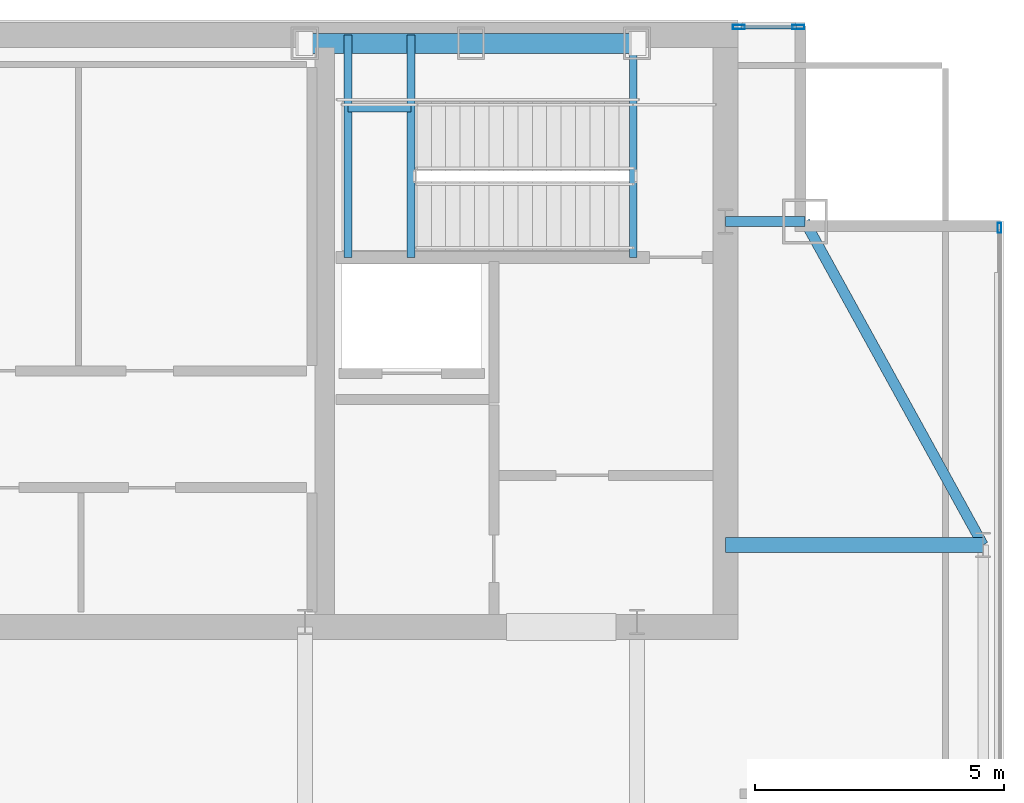
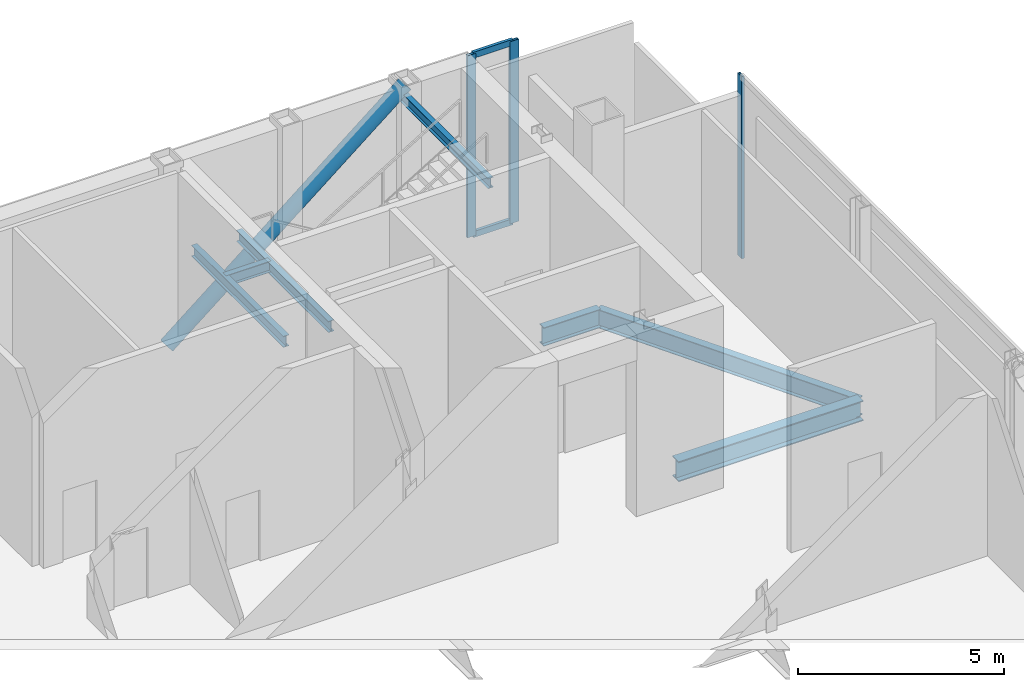
# One storey, part 17 of 22: 7 beams, 6 members, 2 elements without a shape of their own.
"""IFC4 building model written with IfcOpenShell, lengths in metres."""

from ifc_helpers import new_model, si_unit, direction, frame, origin, origin_2d, place, context, subcontext, project, spatial, hollow_rectangle, hollow_circle, i_section, extrude, material, material_profile, profile_set, type_object, element, aggregate, save


model = new_model("IFC4")

# Units and contexts
model_context = context("Model", 3, precision=1e-05, world=origin(), true_north=direction((0.0, 1.0)))
body_context = subcontext(model_context, "Body", "Model", "MODEL_VIEW")
ifc_project = project(units=[si_unit("LENGTHUNIT", "METRE"), si_unit("AREAUNIT", "SQUARE_METRE"), si_unit("VOLUMEUNIT", "CUBIC_METRE"), si_unit("PLANEANGLEUNIT", "RADIAN"), si_unit("MASSUNIT", "GRAM", prefix="KILO")], contexts=[model_context])

# Site, building, storey
site_placement = place(None, origin())
site = spatial("IfcSite", under=ifc_project, at=site_placement, CompositionType="ELEMENT")
building_placement = place(site_placement, origin())
building = spatial("IfcBuilding", under=site, at=building_placement, Name="Khoronbel Lancet Exchange", CompositionType="ELEMENT")
storey_placement = place(building_placement, frame((0.0, 0.0, 361.800048828125)))
storey = spatial("IfcBuildingStorey", under=building, at=storey_placement, Name="L93", CompositionType="ELEMENT", Elevation=361.800048828125)

# Beams
ifc_material_1 = material(Name="Steel S355", Category="steel")
ifc_material_profile_1 = material_profile(ifc_material_1, i_section(OverallWidth=0.300048828125, OverallDepth=0.60009765625, WebThickness=0.015380859375, FlangeThickness=0.030029296875, at=origin_2d()), Name="HEB 600")
ifc_profile_set_1 = profile_set([ifc_material_profile_1], Name="Steel S355")
beam_type_1 = type_object("IfcBeamType", Name="BM-BG5", PredefinedType="BEAM", material=ifc_profile_set_1)
beam_1_placement = place(storey_placement, frame((56.449951171875, 43.199951171875, -0.5), z_axis=(1.0, 0.0, 0.0), x_axis=(0.0, 1.0, 0.0)))
element("IfcBeam", 1, at=beam_1_placement, inside=storey, type_object=beam_type_1, Name="Level L93 east lens tie girder LG3E", PredefinedType="BEAM", context=body_context, shape_type="SweptSolid", body=[
    extrude(i_section(OverallWidth=0.300048828125, OverallDepth=0.60009765625, WebThickness=0.015380859375, FlangeThickness=0.030029296875, at=origin_2d()), origin(), (0.0, 0.0, 1.0), 5.179931640625),
])
ifc_material_profile_2 = material_profile(ifc_material_1, i_section(OverallWidth=0.159912109375, OverallDepth=0.330078125, WebThickness=0.007568359375, FlangeThickness=0.011474609375, at=origin_2d()), Name="IPE 330")
ifc_profile_set_2 = profile_set([ifc_material_profile_2], Name="Steel S355")
beam_type_2 = type_object("IfcBeamType", Name="BM-BJ7", PredefinedType="JOIST", material=ifc_profile_set_2)
for number, where, z_axis, x_axis, name in (
    (2, (50.1298828125, 48.97998046875, 2.43505859375), (0.0, 1.0, 0.0), (-1.0, 0.0, 0.0), "Level L93 stair ST2 landing bearer beam 1"),
    (3, (48.8701171875, 48.97998046875, 2.43505859375), (0.0, 1.0, 0.0), (-1.0, 0.0, 0.0), "Level L93 stair ST2 rear landing bearer beam 1"),
):
    element("IfcBeam", number, at=place(storey_placement, frame(where, z_axis=z_axis, x_axis=x_axis)), inside=storey, type_object=beam_type_2, Name=name, PredefinedType="JOIST", context=body_context, shape_type="SweptSolid", body=[
        extrude(i_section(OverallWidth=0.159912109375, OverallDepth=0.330078125, WebThickness=0.007568359375, FlangeThickness=0.011474609375, at=origin_2d()), origin(), (0.0, 0.0, 1.0), 4.469970703125),
    ])
beam_2_placement = place(storey_placement, frame((48.8701171875, 51.97998046875, 2.43505859375), z_axis=(1.0, 0.0, 0.0), x_axis=(0.0, 1.0, 0.0)))
element("IfcBeam", 4, at=beam_2_placement, inside=storey, type_object=beam_type_2, Name="Level L93 stair ST2 landing cross trimmer beam 1", PredefinedType="JOIST", context=body_context, shape_type="SweptSolid", body=[
    extrude(i_section(OverallWidth=0.159912109375, OverallDepth=0.330078125, WebThickness=0.007568359375, FlangeThickness=0.011474609375, at=origin_2d()), origin(), (0.0, 0.0, 1.0), 1.259765625),
])
ifc_material_profile_3 = material_profile(ifc_material_1, i_section(OverallWidth=0.14990234375, OverallDepth=0.300048828125, WebThickness=0.007080078125, FlangeThickness=0.0107421875, at=origin_2d()), Name="IPE 300")
ifc_profile_set_3 = profile_set([ifc_material_profile_3], Name="Steel S355")
beam_type_3 = type_object("IfcBeamType", Name="BM-BJ8", PredefinedType="JOIST", material=ifc_profile_set_3)
beam_3_placement = place(storey_placement, frame((54.60009765625, 48.97998046875, 5.119873046875), z_axis=(0.0, 1.0, 0.0), x_axis=(-1.0, 0.0, 0.0)))
element("IfcBeam", 5, at=beam_3_placement, inside=storey, type_object=beam_type_3, Name="Level L93 stair ST2 upper-flight arrival trimmer beam", PredefinedType="JOIST", context=body_context, shape_type="SweptSolid", body=[
    extrude(i_section(OverallWidth=0.14990234375, OverallDepth=0.300048828125, WebThickness=0.007080078125, FlangeThickness=0.0107421875, at=origin_2d()), origin(), (0.0, 0.0, 1.0), 4.469970703125),
])
ifc_material_profile_4 = material_profile(ifc_material_1, i_section(OverallWidth=0.2099609375, OverallDepth=0.550048828125, WebThickness=0.010986328125, FlangeThickness=0.01708984375, at=origin_2d()), Name="IPE 550")
ifc_profile_set_4 = profile_set([ifc_material_profile_4], Name="Steel S355")
beam_type_4 = type_object("IfcBeamType", Name="BM-BSP3", PredefinedType="SPANDREL", material=ifc_profile_set_4)
beam_4_placement = place(storey_placement, frame((61.6298828125, 43.199951171875, -0.47509765625), z_axis=(-0.482418808117, 0.875940690672, 0.0), x_axis=(-0.875940690672, -0.482418808117, 0.0)))
element("IfcBeam", 6, at=beam_4_placement, inside=storey, type_object=beam_type_4, Name="Level L93 perimeter spandrel beam SP13", PredefinedType="SPANDREL", context=body_context, shape_type="SweptSolid", body=[
    extrude(i_section(OverallWidth=0.2099609375, OverallDepth=0.550048828125, WebThickness=0.010986328125, FlangeThickness=0.01708984375, at=origin_2d()), origin(), (0.0, 0.0, 1.0), 7.420654296875),
])
beam_5_placement = place(storey_placement, frame((58.050048828125, 49.699951171875, -0.47509765625), z_axis=(-1.0, 0.0, 0.0), x_axis=(0.0, -1.0, 0.0)))
element("IfcBeam", 7, at=beam_5_placement, inside=storey, type_object=beam_type_4, Name="Level L93 north flank tie spandrel SP21", PredefinedType="SPANDREL", context=body_context, shape_type="SweptSolid", body=[
    extrude(i_section(OverallWidth=0.2099609375, OverallDepth=0.550048828125, WebThickness=0.010986328125, FlangeThickness=0.01708984375, at=origin_2d()), origin(), (0.0, 0.0, 1.0), 1.60009765625),
])

# Curtain wall, members
ifc_material_2 = material(Name="Low-E Solar Control Insulating Glass", Category="glass")
curtain_wall_type = type_object("IfcCurtainWallType", Name="CW-6", PredefinedType="NOTDEFINED", material=ifc_material_2)
curtain_wall_1_placement = place(storey_placement, origin())
curtain_wall_1 = element("IfcCurtainWall", 8, at=curtain_wall_1_placement, inside=storey, type_object=curtain_wall_type, Name="Unitised curtain wall CW-L93-NEFLK", PredefinedType="NOTDEFINED")
ifc_material_3 = material(Name="Bronze-Anodised Aluminium 6063-T6", Category="aluminium")
ifc_material_profile_5 = material_profile(ifc_material_3, hollow_rectangle(XDim=0.0849609375, YDim=0.239990234375, WallThickness=0.006103515625, at=origin_2d()), Name="ALU MULLION 85x240")
ifc_profile_set_5 = profile_set([ifc_material_profile_5], Name="Bronze-Anodised Aluminium 6063-T6")
member_type_1 = type_object("IfcMemberType", Name="MEM-CWM1", PredefinedType="MULLION", material=ifc_profile_set_5)
member_1_placement = place(storey_placement, frame((57.91748046875, 53.610107421875, 0.0), z_axis=(0.0, 0.0, 1.0), x_axis=(0.0, -1.0, 0.0)))
member_1 = element("IfcMember", 9, at=member_1_placement, type_object=member_type_1, Name="CW6 mullion 1", PredefinedType="MULLION", context=body_context, shape_type="SweptSolid", body=[
    extrude(hollow_rectangle(XDim=0.0849609375, YDim=0.239990234375, WallThickness=0.006103515625, at=origin_2d()), origin(), (0.0, 0.0, 1.0), 5.39990234375),
])
member_2_placement = place(storey_placement, frame((56.722412109375, 53.610107421875, 0.0), z_axis=(0.0, 0.0, 1.0), x_axis=(0.0, -1.0, 0.0)))
member_2 = element("IfcMember", 10, at=member_2_placement, type_object=member_type_1, Name="CW6 mullion 2", PredefinedType="MULLION", context=body_context, shape_type="SweptSolid", body=[
    extrude(hollow_rectangle(XDim=0.0849609375, YDim=0.239990234375, WallThickness=0.006103515625, at=origin_2d()), origin(), (0.0, 0.0, 1.0), 5.39990234375),
])

# Curtain wall, member
curtain_wall_2_placement = place(storey_placement, origin())
curtain_wall_2 = element("IfcCurtainWall", 11, at=curtain_wall_2_placement, inside=storey, type_object=curtain_wall_type, Name="Unitised curtain wall CW-L93-E09", PredefinedType="NOTDEFINED")
ifc_material_profile_6 = material_profile(ifc_material_3, hollow_rectangle(XDim=0.074951171875, YDim=0.199951171875, WallThickness=0.0048828125, at=origin_2d()), Name="ALU MULLION 75x200")
ifc_profile_set_6 = profile_set([ifc_material_profile_6], Name="Bronze-Anodised Aluminium 6063-T6")
member_type_2 = type_object("IfcMemberType", Name="MEM-CWM2", PredefinedType="MULLION", material=ifc_profile_set_6)
member_3_placement = place(storey_placement, frame((61.9599609375, 49.572509765625, 0.0), z_axis=(0.0, 0.0, 1.0), x_axis=(1.0, 0.0, 0.0)))
member_3 = element("IfcMember", 12, at=member_3_placement, type_object=member_type_2, Name="CW6 mullion 1", PredefinedType="MULLION", context=body_context, shape_type="SweptSolid", body=[
    extrude(hollow_rectangle(XDim=0.074951171875, YDim=0.199951171875, WallThickness=0.0048828125, at=origin_2d()), origin(), (0.0, 0.0, 1.0), 5.39990234375),
])
aggregate(curtain_wall_2, [member_3])

# Member
ifc_material_profile_7 = material_profile(ifc_material_3, hollow_rectangle(XDim=0.0849609375, YDim=0.179931640625, WallThickness=0.0048828125, at=origin_2d()), Name="ALU TRANSOM 85x180")
ifc_profile_set_7 = profile_set([ifc_material_profile_7], Name="Bronze-Anodised Aluminium 6063-T6")
member_type_3 = type_object("IfcMemberType", Name="MEM-CWT1", PredefinedType="USERDEFINED", material=ifc_profile_set_7)
member_4_placement = place(storey_placement, frame((57.875, 53.610107421875, 0.04248046875), z_axis=(-1.0, 0.0, 0.0), x_axis=(0.0, -1.0, 0.0)))
member_4 = element("IfcMember", 13, at=member_4_placement, type_object=member_type_3, Name="CW6 transom 1.1", ObjectType="TRANSOM", PredefinedType="USERDEFINED", context=body_context, shape_type="SweptSolid", body=[
    extrude(hollow_rectangle(XDim=0.0849609375, YDim=0.179931640625, WallThickness=0.0048828125, at=origin_2d()), origin(), (0.0, 0.0, 1.0), 1.110107421875),
])

member_5_placement = place(storey_placement, frame((57.875, 53.610107421875, 5.357421875), z_axis=(-1.0, 0.0, 0.0), x_axis=(0.0, -1.0, 0.0)))
member_5 = element("IfcMember", 14, at=member_5_placement, type_object=member_type_3, Name="CW6 transom 1.2", ObjectType="TRANSOM", PredefinedType="USERDEFINED", context=body_context, shape_type="SweptSolid", body=[
    extrude(hollow_rectangle(XDim=0.0849609375, YDim=0.179931640625, WallThickness=0.0048828125, at=origin_2d()), origin(), (0.0, 0.0, 1.0), 1.110107421875),
])

aggregate(curtain_wall_1, [member_1, member_2, member_4, member_5])

ifc_material_profile_8 = material_profile(ifc_material_1, hollow_circle(Radius=0.203125, WallThickness=0.02001953125, at=origin_2d()), Name="CHS 406.4x20")
ifc_profile_set_8 = profile_set([ifc_material_profile_8], Name="Steel S355")
member_type_4 = type_object("IfcMemberType", Name="MEM-STR2", PredefinedType="STRUT", material=ifc_profile_set_8)
member_6_placement = place(storey_placement, frame((48.0, 53.280029296875, 0.0), z_axis=(0.77631632481, 0.0, 0.630343528429), x_axis=(0.0, 1.0, 0.0)))
element("IfcMember", 15, at=member_6_placement, inside=storey, type_object=member_type_4, Name="CROWN FRAME diagonal ring brace L93-N2", PredefinedType="STRUT", context=body_context, shape_type="SweptSolid", body=[
    extrude(hollow_circle(Radius=0.203125, WallThickness=0.02001953125, at=origin_2d()), origin(), (0.0, 0.0, 1.0), 8.598388671875),
])

save(model, "model.ifc")
